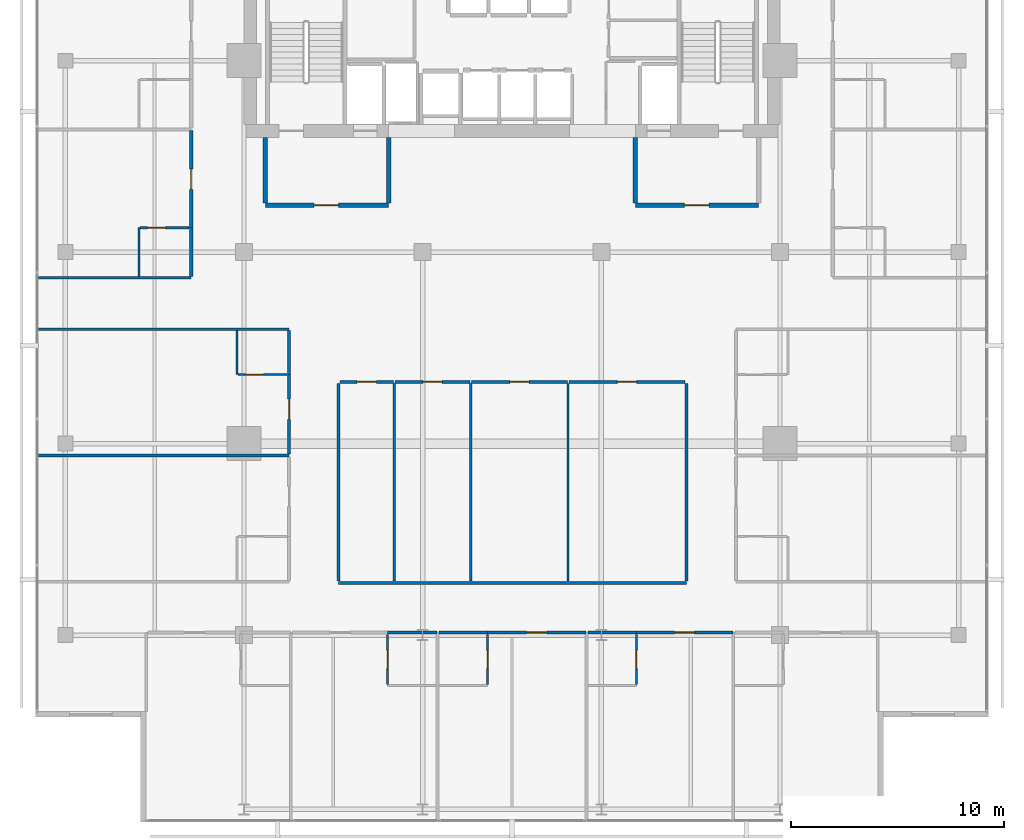
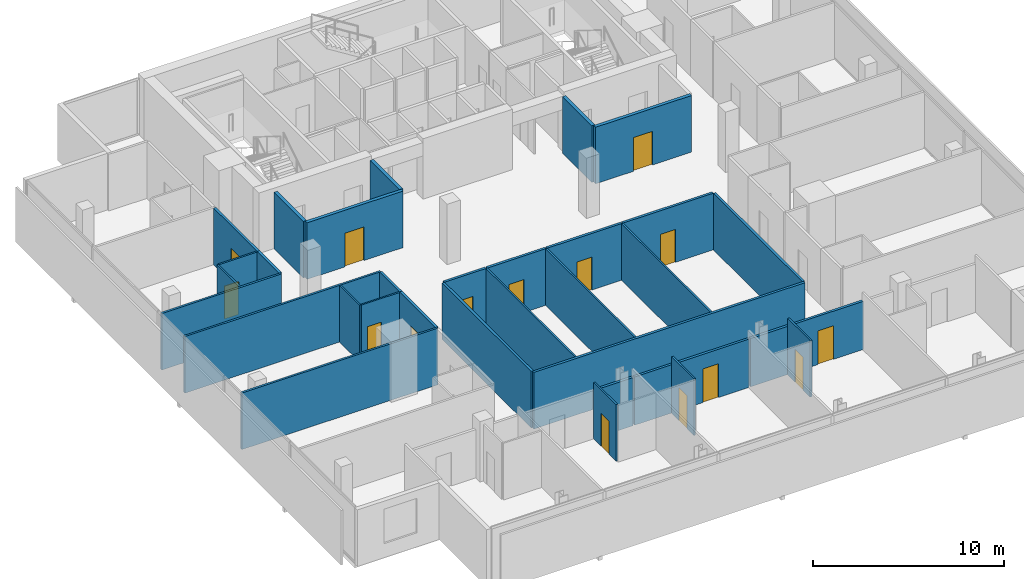
# One storey, part 20 of 25: 34 walls, 15 doors, 15 openings.
"""IFC4 building model written with IfcOpenShell, lengths in metres."""

from ifc_helpers import new_model, si_unit, direction, frame, frame_2d, origin, place, context, subcontext, project, spatial, rectangle, extrude, material, layer, layer_set, type_object, element, fill, save


model = new_model("IFC4")

# Units and contexts
model_context = context("Model", 3, precision=1e-05, world=origin(), true_north=direction((0.0, 1.0)))
body_context = subcontext(model_context, "Body", "Model", "MODEL_VIEW")
ifc_project = project(units=[si_unit("LENGTHUNIT", "METRE"), si_unit("AREAUNIT", "SQUARE_METRE"), si_unit("VOLUMEUNIT", "CUBIC_METRE"), si_unit("PLANEANGLEUNIT", "RADIAN"), si_unit("MASSUNIT", "GRAM", prefix="KILO")], contexts=[model_context])

# Site, building, storey
site_placement = place(None, origin())
site = spatial("IfcSite", under=ifc_project, at=site_placement, CompositionType="ELEMENT")
building_placement = place(site_placement, origin())
building = spatial("IfcBuilding", under=site, at=building_placement, Name="Maruvema Waterfront Hotel and Observation Tower", CompositionType="ELEMENT")
storey_placement = place(building_placement, frame((0.0, 0.0, 262.5)))
storey = spatial("IfcBuildingStorey", under=building, at=storey_placement, Name="L64", CompositionType="ELEMENT", Elevation=262.5)

# Walls
ifc_material_1 = material(Name="Twin-stud acoustic gypsum drywall", Category="gypsum")
ifc_layer_1 = layer(ifc_material_1, 0.14990234375, Name="Acoustic Corridor and Suite Demising Wall 150 mm")
ifc_layer_set_1 = layer_set([ifc_layer_1], Name="Twin-stud acoustic gypsum drywall")
wall_type_1 = type_object("IfcWallType", Name="Acoustic Corridor and Suite Demising Wall 150 mm", PredefinedType="PARTITIONING", material=ifc_layer_set_1)
wall_1_placement = place(storey_placement, frame((29.64990234375, 20.449951171875, 0.0), z_axis=(0.0, 0.0, 1.0), x_axis=(1.0, 0.0, 0.0)))
element("IfcWall", 1, at=wall_1_placement, inside=storey, type_object=wall_type_1, Name="L64 L64-Z3M Back Wall 021", PredefinedType="PARTITIONING", context=body_context, shape_type="SweptSolid", body=[
    extrude(rectangle(XDim=16.35009765625, YDim=0.14990234375, at=frame_2d((8.175048828125, 0.0))), origin(), (0.0, 0.0, 1.0), 3.610107421875),
])
for number, where, z_axis, x_axis, name in (
    (2, (29.64990234375, 20.530029296875, 0.0), (0.0, 0.0, 1.0), (0.0, 1.0, 0.0), "L64 L64-Z3M West Wall 022"),
    (3, (46.0, 20.530029296875, 0.0), (0.0, 0.0, 1.0), (0.0, 1.0, 0.0), "L64 L64-Z3M East Wall 023"),
):
    element("IfcWall", number, at=place(storey_placement, frame(where, z_axis=z_axis, x_axis=x_axis)), inside=storey, type_object=wall_type_1, Name=name, PredefinedType="PARTITIONING", context=body_context, shape_type="SweptSolid", body=[
        extrude(rectangle(XDim=9.2900390625, YDim=0.14990234375, at=frame_2d((4.64501953125, 0.0))), origin(), (0.0, 0.0, 1.0), 3.610107421875),
    ])

# Wall, opening, door
wall_2_placement = place(storey_placement, frame((29.7099609375, 29.89990234375, 0.0), z_axis=(0.0, 0.0, 1.0), x_axis=(1.0, 0.0, 0.0)))
wall_2 = element("IfcWall", 4, at=wall_2_placement, inside=storey, type_object=wall_type_1, Name="L64 L64-Z3M Front 1 024", PredefinedType="PARTITIONING", context=body_context, shape_type="SweptSolid", body=[
    extrude(rectangle(XDim=2.526123046875, YDim=0.14990234375, at=frame_2d((1.26318359375, 0.0))), origin(), (0.0, 0.0, 1.0), 3.610107421875),
])
opening_1_placement = place(wall_2_placement, frame((0.81298828125, 0.0, 0.0)))
opening_1 = element("IfcOpeningElement", 5, at=opening_1_placement, cuts=wall_2, Name="Opening DR-090", PredefinedType="OPENING", context=body_context, shape_type="SweptSolid", body=[
    extrude(rectangle(XDim=0.89990234375, YDim=2.10009765625, at=frame_2d((0.449951171875, 1.050048828125))), frame((0.0, 0.0849609375, 0.0), z_axis=(0.0, -1.0, 0.0), x_axis=(1.0, 0.0, 0.0)), (0.0, 0.0, 1.0), 0.169921875),
])
ifc_material_2 = material(Name="Solid-core lacquered timber leaf", Category="wood")
door_type_1 = type_object("IfcDoorType", Name="Accessible Toilet and Room Door 900x2100 mm", OperationType="NOTDEFINED", PredefinedType="DOOR", material=ifc_material_2)
door_1_placement = place(opening_1_placement, origin())
door_1 = element("IfcDoor", 6, at=door_1_placement, inside=storey, type_object=door_type_1, Name="L64 Meeting Salon 1 Door", OperationType="SINGLE_SWING_LEFT", OverallHeight=2.10009765625, OverallWidth=0.89990234375, PredefinedType="DOOR", context=body_context, shape_type="SweptSolid", body=[
    extrude(rectangle(XDim=0.89990234375, YDim=2.10009765625, at=frame_2d((0.449951171875, 1.050048828125))), frame((0.0, 0.02490234375, 0.0), z_axis=(0.0, -1.0, 0.0), x_axis=(1.0, 0.0, 0.0)), (0.0, 0.0, 1.0), 0.050048828125),
])
fill(opening_1, door_1)

wall_3_placement = place(storey_placement, frame((32.2958984375, 29.89990234375, 0.0), z_axis=(0.0, 0.0, 1.0), x_axis=(1.0, 0.0, 0.0)))
wall_3 = element("IfcWall", 7, at=wall_3_placement, inside=storey, type_object=wall_type_1, Name="L64 L64-Z3M Front 2 026", PredefinedType="PARTITIONING", context=body_context, shape_type="SweptSolid", body=[
    extrude(rectangle(XDim=3.537109375, YDim=0.14990234375, at=frame_2d((1.7685546875, 0.0))), origin(), (0.0, 0.0, 1.0), 3.610107421875),
])
opening_2_placement = place(wall_3_placement, frame((1.318603515625, 0.0, 0.0)))
opening_2 = element("IfcOpeningElement", 8, at=opening_2_placement, cuts=wall_3, Name="Opening DR-090", PredefinedType="OPENING", context=body_context, shape_type="SweptSolid", body=[
    extrude(rectangle(XDim=0.89990234375, YDim=2.10009765625, at=frame_2d((0.449951171875, 1.050048828125))), frame((0.0, 0.0849609375, 0.0), z_axis=(0.0, -1.0, 0.0), x_axis=(1.0, 0.0, 0.0)), (0.0, 0.0, 1.0), 0.169921875),
])
door_2_placement = place(opening_2_placement, origin())
door_2 = element("IfcDoor", 9, at=door_2_placement, inside=storey, type_object=door_type_1, Name="L64 Meeting Salon 2 Door", OperationType="SINGLE_SWING_RIGHT", OverallHeight=2.10009765625, OverallWidth=0.89990234375, PredefinedType="DOOR", context=body_context, shape_type="SweptSolid", body=[
    extrude(rectangle(XDim=0.89990234375, YDim=2.10009765625, at=frame_2d((0.449951171875, 1.050048828125))), frame((0.0, 0.02490234375, 0.0), z_axis=(0.0, -1.0, 0.0), x_axis=(1.0, 0.0, 0.0)), (0.0, 0.0, 1.0), 0.050048828125),
])
fill(opening_2, door_2)

wall_4_placement = place(storey_placement, frame((35.89306640625, 29.89990234375, 0.0), z_axis=(0.0, 0.0, 1.0), x_axis=(1.0, 0.0, 0.0)))
wall_4 = element("IfcWall", 10, at=wall_4_placement, inside=storey, type_object=wall_type_1, Name="L64 L64-Z3M Front 3 028", PredefinedType="PARTITIONING", context=body_context, shape_type="SweptSolid", body=[
    extrude(rectangle(XDim=4.517822265625, YDim=0.14990234375, at=frame_2d((2.2587890625, 0.0))), origin(), (0.0, 0.0, 1.0), 3.610107421875),
])
opening_3_placement = place(wall_4_placement, frame((1.80908203125, 0.0, 0.0)))
opening_3 = element("IfcOpeningElement", 11, at=opening_3_placement, cuts=wall_4, Name="Opening DR-090", PredefinedType="OPENING", context=body_context, shape_type="SweptSolid", body=[
    extrude(rectangle(XDim=0.89990234375, YDim=2.10009765625, at=frame_2d((0.449951171875, 1.050048828125))), frame((0.0, 0.0849609375, 0.0), z_axis=(0.0, -1.0, 0.0), x_axis=(1.0, 0.0, 0.0)), (0.0, 0.0, 1.0), 0.169921875),
])
door_3_placement = place(opening_3_placement, origin())
door_3 = element("IfcDoor", 12, at=door_3_placement, inside=storey, type_object=door_type_1, Name="L64 Meeting Salon 3 Door", OperationType="SINGLE_SWING_LEFT", OverallHeight=2.10009765625, OverallWidth=0.89990234375, PredefinedType="DOOR", context=body_context, shape_type="SweptSolid", body=[
    extrude(rectangle(XDim=0.89990234375, YDim=2.10009765625, at=frame_2d((0.449951171875, 1.050048828125))), frame((0.0, 0.02490234375, 0.0), z_axis=(0.0, -1.0, 0.0), x_axis=(1.0, 0.0, 0.0)), (0.0, 0.0, 1.0), 0.050048828125),
])
fill(opening_3, door_3)

wall_5_placement = place(storey_placement, frame((40.470947265625, 29.89990234375, 0.0), z_axis=(0.0, 0.0, 1.0), x_axis=(1.0, 0.0, 0.0)))
wall_5 = element("IfcWall", 13, at=wall_5_placement, inside=storey, type_object=wall_type_1, Name="L64 L64-Z3M Front 4 030", PredefinedType="PARTITIONING", context=body_context, shape_type="SweptSolid", body=[
    extrude(rectangle(XDim=5.468994140625, YDim=0.14990234375, at=frame_2d((2.734375, 0.0))), origin(), (0.0, 0.0, 1.0), 3.610107421875),
])
opening_4_placement = place(wall_5_placement, frame((2.284423828125, 0.0, 0.0)))
opening_4 = element("IfcOpeningElement", 14, at=opening_4_placement, cuts=wall_5, Name="Opening DR-090", PredefinedType="OPENING", context=body_context, shape_type="SweptSolid", body=[
    extrude(rectangle(XDim=0.89990234375, YDim=2.10009765625, at=frame_2d((0.449951171875, 1.050048828125))), frame((0.0, 0.0849609375, 0.0), z_axis=(0.0, -1.0, 0.0), x_axis=(1.0, 0.0, 0.0)), (0.0, 0.0, 1.0), 0.169921875),
])
door_4_placement = place(opening_4_placement, origin())
door_4 = element("IfcDoor", 15, at=door_4_placement, inside=storey, type_object=door_type_1, Name="L64 Tea Kitchenette Door", OperationType="SINGLE_SWING_RIGHT", OverallHeight=2.10009765625, OverallWidth=0.89990234375, PredefinedType="DOOR", context=body_context, shape_type="SweptSolid", body=[
    extrude(rectangle(XDim=0.89990234375, YDim=2.10009765625, at=frame_2d((0.449951171875, 1.050048828125))), frame((0.0, 0.02490234375, 0.0), z_axis=(0.0, -1.0, 0.0), x_axis=(1.0, 0.0, 0.0)), (0.0, 0.0, 1.0), 0.050048828125),
])
fill(opening_4, door_4)

# Walls
wall_6_placement = place(storey_placement, frame((31.949951171875, 18.1201171875, 0.0), z_axis=(0.0, 0.0, 1.0), x_axis=(1.0, 0.0, 0.0)))
element("IfcWall", 16, at=wall_6_placement, inside=storey, type_object=wall_type_1, Name="L64 Bath L64-S2 Back Wall 038", PredefinedType="PARTITIONING", context=body_context, shape_type="SweptSolid", body=[
    extrude(rectangle(XDim=2.330078125, YDim=0.14990234375, at=frame_2d((1.1650390625, 0.0))), origin(), (0.0, 0.0, 1.0), 3.076904296875),
])
wall_7_placement = place(storey_placement, frame((34.3798828125, 18.1201171875, 0.0), z_axis=(0.0, 0.0, 1.0), x_axis=(1.0, 0.0, 0.0)))
element("IfcWall", 17, at=wall_7_placement, inside=storey, type_object=wall_type_1, Name="L64 Bath L64-S3 Back Wall 043", PredefinedType="PARTITIONING", context=body_context, shape_type="SweptSolid", body=[
    extrude(rectangle(XDim=2.27001953125, YDim=0.14990234375, at=frame_2d((1.135009765625, 0.0))), origin(), (0.0, 0.0, 1.0), 3.076904296875),
])

# Wall, opening, door
wall_8_placement = place(storey_placement, frame((36.64990234375, 18.1201171875, 0.0), z_axis=(0.0, 0.0, 1.0), x_axis=(1.0, 0.0, 0.0)))
wall_8 = element("IfcWall", 18, at=wall_8_placement, inside=storey, type_object=wall_type_1, Name="L64 Unit L64-S3 Corridor Wall 046", PredefinedType="PARTITIONING", context=body_context, shape_type="SweptSolid", body=[
    extrude(rectangle(XDim=4.630126953125, YDim=0.14990234375, at=frame_2d((2.31494140625, 0.0))), origin(), (0.0, 0.0, 1.0), 3.076904296875),
])
opening_5_placement = place(wall_8_placement, frame((1.840087890625, 0.0, 0.0)))
opening_5 = element("IfcOpeningElement", 19, at=opening_5_placement, cuts=wall_8, Name="Opening DR-095", PredefinedType="OPENING", context=body_context, shape_type="SweptSolid", body=[
    extrude(rectangle(XDim=0.949951171875, YDim=2.14990234375, at=frame_2d((0.47509765625, 1.074951171875))), frame((0.0, 0.0849609375, 0.0), z_axis=(0.0, -1.0, 0.0), x_axis=(1.0, 0.0, 0.0)), (0.0, 0.0, 1.0), 0.169921875),
])
ifc_material_3 = material(Name="Acoustic solid-core hardwood timber leaf", Category="wood")
door_type_2 = type_object("IfcDoorType", Name="Guestroom Entrance Fire Door 950x2150 mm", OperationType="NOTDEFINED", PredefinedType="DOOR", material=ifc_material_3)
door_5_placement = place(opening_5_placement, frame((0.949951171875, 0.0, 0.0), z_axis=(0.0, 0.0, 1.0), x_axis=(-1.0, 0.0, 0.0)))
door_5 = element("IfcDoor", 20, at=door_5_placement, inside=storey, type_object=door_type_2, Name="L64 Unit L64-S3 Entrance Door", OperationType="SINGLE_SWING_RIGHT", OverallHeight=2.14990234375, OverallWidth=0.949951171875, PredefinedType="DOOR", context=body_context, shape_type="SweptSolid", body=[
    extrude(rectangle(XDim=0.949951171875, YDim=2.14990234375, at=frame_2d((0.47509765625, 1.074951171875))), frame((0.0, 0.02490234375, 0.0), z_axis=(0.0, -1.0, 0.0), x_axis=(1.0, 0.0, 0.0)), (0.0, 0.0, 1.0), 0.050048828125),
])
fill(opening_5, door_5)

# Wall
wall_9_placement = place(storey_placement, frame((41.3798828125, 18.1201171875, 0.0), z_axis=(0.0, 0.0, 1.0), x_axis=(1.0, 0.0, 0.0)))
element("IfcWall", 21, at=wall_9_placement, inside=storey, type_object=wall_type_1, Name="L64 Bath L64-S4 Back Wall 048", PredefinedType="PARTITIONING", context=body_context, shape_type="SweptSolid", body=[
    extrude(rectangle(XDim=2.27001953125, YDim=0.14990234375, at=frame_2d((1.135009765625, 0.0))), origin(), (0.0, 0.0, 1.0), 3.076904296875),
])

# Wall, opening, door
wall_10_placement = place(storey_placement, frame((43.64990234375, 18.1201171875, 0.0), z_axis=(0.0, 0.0, 1.0), x_axis=(1.0, 0.0, 0.0)))
wall_10 = element("IfcWall", 22, at=wall_10_placement, inside=storey, type_object=wall_type_1, Name="L64 Unit L64-S4 Corridor Wall 051", PredefinedType="PARTITIONING", context=body_context, shape_type="SweptSolid", body=[
    extrude(rectangle(XDim=4.530029296875, YDim=0.14990234375, at=frame_2d((2.26513671875, 0.0))), origin(), (0.0, 0.0, 1.0), 3.076904296875),
])
opening_6_placement = place(wall_10_placement, frame((1.7900390625, 0.0, 0.0)))
opening_6 = element("IfcOpeningElement", 23, at=opening_6_placement, cuts=wall_10, Name="Opening DR-095", PredefinedType="OPENING", context=body_context, shape_type="SweptSolid", body=[
    extrude(rectangle(XDim=0.949951171875, YDim=2.14990234375, at=frame_2d((0.47509765625, 1.074951171875))), frame((0.0, 0.0849609375, 0.0), z_axis=(0.0, -1.0, 0.0), x_axis=(1.0, 0.0, 0.0)), (0.0, 0.0, 1.0), 0.169921875),
])
door_6_placement = place(opening_6_placement, frame((0.949951171875, 0.0, 0.0), z_axis=(0.0, 0.0, 1.0), x_axis=(-1.0, 0.0, 0.0)))
door_6 = element("IfcDoor", 24, at=door_6_placement, inside=storey, type_object=door_type_2, Name="L64 Unit L64-S4 Entrance Door", OperationType="SINGLE_SWING_RIGHT", OverallHeight=2.14990234375, OverallWidth=0.949951171875, PredefinedType="DOOR", context=body_context, shape_type="SweptSolid", body=[
    extrude(rectangle(XDim=0.949951171875, YDim=2.14990234375, at=frame_2d((0.47509765625, 1.074951171875))), frame((0.0, 0.02490234375, 0.0), z_axis=(0.0, -1.0, 0.0), x_axis=(1.0, 0.0, 0.0)), (0.0, 0.0, 1.0), 0.050048828125),
])
fill(opening_6, door_6)

wall_11_placement = place(storey_placement, frame((27.320068359375, 26.5, 0.0), z_axis=(0.0, 0.0, 1.0), x_axis=(0.0, 1.0, 0.0)))
wall_11 = element("IfcWall", 25, at=wall_11_placement, inside=storey, type_object=wall_type_1, Name="L64 Room L64-W2 Corridor Wall 071", PredefinedType="PARTITIONING", context=body_context, shape_type="SweptSolid", body=[
    extrude(rectangle(XDim=3.739990234375, YDim=0.14990234375, at=frame_2d((1.8701171875, 0.0))), origin(), (0.0, 0.0, 1.0), 3.610107421875),
])
opening_7_placement = place(wall_11_placement, frame((1.635009765625, 0.0, 0.0)))
opening_7 = element("IfcOpeningElement", 26, at=opening_7_placement, cuts=wall_11, Name="Opening DR-095", PredefinedType="OPENING", context=body_context, shape_type="SweptSolid", body=[
    extrude(rectangle(XDim=0.949951171875, YDim=2.14990234375, at=frame_2d((0.47509765625, 1.074951171875))), frame((0.0, 0.0849609375, 0.0), z_axis=(0.0, -1.0, 0.0), x_axis=(1.0, 0.0, 0.0)), (0.0, 0.0, 1.0), 0.169921875),
])
door_7_placement = place(opening_7_placement, origin())
door_7 = element("IfcDoor", 27, at=door_7_placement, inside=storey, type_object=door_type_2, Name="L64 Room L64-W2 Entrance Door", OperationType="SINGLE_SWING_RIGHT", OverallHeight=2.14990234375, OverallWidth=0.949951171875, PredefinedType="DOOR", context=body_context, shape_type="SweptSolid", body=[
    extrude(rectangle(XDim=0.949951171875, YDim=2.14990234375, at=frame_2d((0.47509765625, 1.074951171875))), frame((0.0, 0.02490234375, 0.0), z_axis=(0.0, -1.0, 0.0), x_axis=(1.0, 0.0, 0.0)), (0.0, 0.0, 1.0), 0.050048828125),
])
fill(opening_7, door_7)

# Walls
wall_12_placement = place(storey_placement, frame((27.320068359375, 30.239990234375, 0.0), z_axis=(0.0, 0.0, 1.0), x_axis=(0.0, 1.0, 0.0)))
element("IfcWall", 28, at=wall_12_placement, inside=storey, type_object=wall_type_1, Name="L64 Bath L64-W2 Wall 072", PredefinedType="PARTITIONING", context=body_context, shape_type="SweptSolid", body=[
    extrude(rectangle(XDim=2.080078125, YDim=0.14990234375, at=frame_2d((1.0400390625, 0.0))), origin(), (0.0, 0.0, 1.0), 3.610107421875),
])
wall_13_placement = place(storey_placement, frame((22.719970703125, 34.860107421875, 0.0), z_axis=(0.0, 0.0, 1.0), x_axis=(0.0, 1.0, 0.0)))
element("IfcWall", 29, at=wall_13_placement, inside=storey, type_object=wall_type_1, Name="L64 Bath L64-NW1 Wall 083", PredefinedType="PARTITIONING", context=body_context, shape_type="SweptSolid", body=[
    extrude(rectangle(XDim=2.289794921875, YDim=0.14990234375, at=frame_2d((1.14501953125, 0.0))), origin(), (0.0, 0.0, 1.0), 3.610107421875),
])

# Wall, opening, door
wall_14_placement = place(storey_placement, frame((22.719970703125, 37.14990234375, 0.0), z_axis=(0.0, 0.0, 1.0), x_axis=(0.0, 1.0, 0.0)))
wall_14 = element("IfcWall", 30, at=wall_14_placement, inside=storey, type_object=wall_type_1, Name="L64 Room L64-NW1 Corridor Wall 084", PredefinedType="PARTITIONING", context=body_context, shape_type="SweptSolid", body=[
    extrude(rectangle(XDim=4.558837890625, YDim=0.14990234375, at=frame_2d((2.279296875, 0.0))), origin(), (0.0, 0.0, 1.0), 3.610107421875),
])
opening_8_placement = place(wall_14_placement, frame((1.804443359375, 0.0, 0.0)))
opening_8 = element("IfcOpeningElement", 31, at=opening_8_placement, cuts=wall_14, Name="Opening DR-095", PredefinedType="OPENING", context=body_context, shape_type="SweptSolid", body=[
    extrude(rectangle(XDim=0.949951171875, YDim=2.14990234375, at=frame_2d((0.47509765625, 1.074951171875))), frame((0.0, 0.0849609375, 0.0), z_axis=(0.0, -1.0, 0.0), x_axis=(1.0, 0.0, 0.0)), (0.0, 0.0, 1.0), 0.169921875),
])
door_8_placement = place(opening_8_placement, origin())
door_8 = element("IfcDoor", 32, at=door_8_placement, inside=storey, type_object=door_type_2, Name="L64 Room L64-NW1 Entrance Door", OperationType="SINGLE_SWING_RIGHT", OverallHeight=2.14990234375, OverallWidth=0.949951171875, PredefinedType="DOOR", context=body_context, shape_type="SweptSolid", body=[
    extrude(rectangle(XDim=0.949951171875, YDim=2.14990234375, at=frame_2d((0.47509765625, 1.074951171875))), frame((0.0, 0.02490234375, 0.0), z_axis=(0.0, -1.0, 0.0), x_axis=(1.0, 0.0, 0.0)), (0.0, 0.0, 1.0), 0.050048828125),
])
fill(opening_8, door_8)

# Walls
ifc_material_4 = material(Name="Moisture-resistant cement-board drywall", Category="gypsum")
ifc_layer_2 = layer(ifc_material_4, 0.10009765625, Name="En-Suite Moisture-Resistant Partition 100 mm")
ifc_layer_set_2 = layer_set([ifc_layer_2], Name="Moisture-resistant cement-board drywall")
wall_type_2 = type_object("IfcWallType", Name="En-Suite Moisture-Resistant Partition 100 mm", PredefinedType="PARTITIONING", material=ifc_layer_set_2)
for number, where, z_axis, x_axis, name in (
    (33, (32.26611328125, 20.530029296875, 0.0), (0.0, 0.0, 1.0), (0.0, 1.0, 0.0), "L64 L64-Z3M Split 1 025"),
    (34, (35.863037109375, 20.530029296875, 0.0), (0.0, 0.0, 1.0), (0.0, 1.0, 0.0), "L64 L64-Z3M Split 2 027"),
    (35, (40.44091796875, 20.530029296875, 0.0), (0.0, 0.0, 1.0), (0.0, 1.0, 0.0), "L64 L64-Z3M Split 3 029"),
):
    element("IfcWall", number, at=place(storey_placement, frame(where, z_axis=z_axis, x_axis=x_axis)), inside=storey, type_object=wall_type_2, Name=name, PredefinedType="PARTITIONING", context=body_context, shape_type="SweptSolid", body=[
        extrude(rectangle(XDim=9.2900390625, YDim=0.10009765625, at=frame_2d((4.64501953125, 0.0))), origin(), (0.0, 0.0, 1.0), 3.610107421875),
    ])

# Wall, opening, door
wall_15_placement = place(storey_placement, frame((31.949951171875, 15.679931640625, 0.0), z_axis=(0.0, 0.0, 1.0), x_axis=(0.0, 1.0, 0.0)))
wall_15 = element("IfcWall", 36, at=wall_15_placement, inside=storey, type_object=wall_type_2, Name="L64 En-Suite L64-S2 West 040", PredefinedType="PARTITIONING", context=body_context, shape_type="SweptSolid", body=[
    extrude(rectangle(XDim=2.340087890625, YDim=0.10009765625, at=frame_2d((1.169921875, 0.0))), origin(), (0.0, 0.0, 1.0), 3.610107421875),
])
opening_9_placement = place(wall_15_placement, frame((0.7451171875, 0.0, 0.0)))
opening_9 = element("IfcOpeningElement", 37, at=opening_9_placement, cuts=wall_15, Name="Opening DR-085", PredefinedType="OPENING", context=body_context, shape_type="SweptSolid", body=[
    extrude(rectangle(XDim=0.85009765625, YDim=2.10009765625, at=frame_2d((0.425048828125, 1.050048828125))), frame((0.0, 0.06005859375, 0.0), z_axis=(0.0, -1.0, 0.0), x_axis=(1.0, 0.0, 0.0)), (0.0, 0.0, 1.0), 0.1201171875),
])
ifc_material_5 = material(Name="Moisture-resistant solid timber leaf", Category="wood")
door_type_3 = type_object("IfcDoorType", Name="En-Suite Bathroom Door 850x2100 mm", OperationType="NOTDEFINED", PredefinedType="DOOR", material=ifc_material_5)
door_9_placement = place(opening_9_placement, origin())
door_9 = element("IfcDoor", 38, at=door_9_placement, inside=storey, type_object=door_type_3, Name="L64 En-Suite L64-S2 Door", OperationType="SINGLE_SWING_LEFT", OverallHeight=2.10009765625, OverallWidth=0.85009765625, PredefinedType="DOOR", context=body_context, shape_type="SweptSolid", body=[
    extrude(rectangle(XDim=0.85009765625, YDim=2.10009765625, at=frame_2d((0.425048828125, 1.050048828125))), frame((0.0, 0.02490234375, 0.0), z_axis=(0.0, -1.0, 0.0), x_axis=(1.0, 0.0, 0.0)), (0.0, 0.0, 1.0), 0.050048828125),
])
fill(opening_9, door_9)

wall_16_placement = place(storey_placement, frame((36.64990234375, 15.679931640625, 0.0), z_axis=(0.0, 0.0, 1.0), x_axis=(0.0, 1.0, 0.0)))
wall_16 = element("IfcWall", 39, at=wall_16_placement, inside=storey, type_object=wall_type_2, Name="L64 En-Suite L64-S3 East 045", PredefinedType="PARTITIONING", context=body_context, shape_type="SweptSolid", body=[
    extrude(rectangle(XDim=2.340087890625, YDim=0.10009765625, at=frame_2d((1.169921875, 0.0))), origin(), (0.0, 0.0, 1.0), 3.610107421875),
])
opening_10_placement = place(wall_16_placement, frame((0.7451171875, 0.0, 0.0)))
opening_10 = element("IfcOpeningElement", 40, at=opening_10_placement, cuts=wall_16, Name="Opening DR-085", PredefinedType="OPENING", context=body_context, shape_type="SweptSolid", body=[
    extrude(rectangle(XDim=0.85009765625, YDim=2.10009765625, at=frame_2d((0.425048828125, 1.050048828125))), frame((0.0, 0.06005859375, 0.0), z_axis=(0.0, -1.0, 0.0), x_axis=(1.0, 0.0, 0.0)), (0.0, 0.0, 1.0), 0.1201171875),
])
door_10_placement = place(opening_10_placement, frame((0.85009765625, 0.0, 0.0), z_axis=(0.0, 0.0, 1.0), x_axis=(-1.0, 0.0, 0.0)))
door_10 = element("IfcDoor", 41, at=door_10_placement, inside=storey, type_object=door_type_3, Name="L64 En-Suite L64-S3 Door", OperationType="SINGLE_SWING_LEFT", OverallHeight=2.10009765625, OverallWidth=0.85009765625, PredefinedType="DOOR", context=body_context, shape_type="SweptSolid", body=[
    extrude(rectangle(XDim=0.85009765625, YDim=2.10009765625, at=frame_2d((0.425048828125, 1.050048828125))), frame((0.0, 0.02490234375, 0.0), z_axis=(0.0, -1.0, 0.0), x_axis=(1.0, 0.0, 0.0)), (0.0, 0.0, 1.0), 0.050048828125),
])
fill(opening_10, door_10)

wall_17_placement = place(storey_placement, frame((43.64990234375, 15.679931640625, 0.0), z_axis=(0.0, 0.0, 1.0), x_axis=(0.0, 1.0, 0.0)))
wall_17 = element("IfcWall", 42, at=wall_17_placement, inside=storey, type_object=wall_type_2, Name="L64 En-Suite L64-S4 East 050", PredefinedType="PARTITIONING", context=body_context, shape_type="SweptSolid", body=[
    extrude(rectangle(XDim=2.340087890625, YDim=0.10009765625, at=frame_2d((1.169921875, 0.0))), origin(), (0.0, 0.0, 1.0), 3.610107421875),
])
opening_11_placement = place(wall_17_placement, frame((0.7451171875, 0.0, 0.0)))
opening_11 = element("IfcOpeningElement", 43, at=opening_11_placement, cuts=wall_17, Name="Opening DR-085", PredefinedType="OPENING", context=body_context, shape_type="SweptSolid", body=[
    extrude(rectangle(XDim=0.85009765625, YDim=2.10009765625, at=frame_2d((0.425048828125, 1.050048828125))), frame((0.0, 0.06005859375, 0.0), z_axis=(0.0, -1.0, 0.0), x_axis=(1.0, 0.0, 0.0)), (0.0, 0.0, 1.0), 0.1201171875),
])
door_11_placement = place(opening_11_placement, frame((0.85009765625, 0.0, 0.0), z_axis=(0.0, 0.0, 1.0), x_axis=(-1.0, 0.0, 0.0)))
door_11 = element("IfcDoor", 44, at=door_11_placement, inside=storey, type_object=door_type_3, Name="L64 En-Suite L64-S4 Door", OperationType="SINGLE_SWING_LEFT", OverallHeight=2.10009765625, OverallWidth=0.85009765625, PredefinedType="DOOR", context=body_context, shape_type="SweptSolid", body=[
    extrude(rectangle(XDim=0.85009765625, YDim=2.10009765625, at=frame_2d((0.425048828125, 1.050048828125))), frame((0.0, 0.02490234375, 0.0), z_axis=(0.0, -1.0, 0.0), x_axis=(1.0, 0.0, 0.0)), (0.0, 0.0, 1.0), 0.050048828125),
])
fill(opening_11, door_11)

# Wall
wall_18_placement = place(storey_placement, frame((24.8701171875, 30.239990234375, 0.0), z_axis=(0.0, 0.0, 1.0), x_axis=(0.0, 1.0, 0.0)))
element("IfcWall", 45, at=wall_18_placement, inside=storey, type_object=wall_type_2, Name="L64 En-Suite L64-W2 W 073", PredefinedType="PARTITIONING", context=body_context, shape_type="SweptSolid", body=[
    extrude(rectangle(XDim=2.080078125, YDim=0.10009765625, at=frame_2d((1.0400390625, 0.0))), origin(), (0.0, 0.0, 1.0), 3.610107421875),
])

# Wall, opening, door
wall_19_placement = place(storey_placement, frame((24.919921875, 30.239990234375, 0.0), z_axis=(0.0, 0.0, 1.0), x_axis=(1.0, 0.0, 0.0)))
wall_19 = element("IfcWall", 46, at=wall_19_placement, inside=storey, type_object=wall_type_2, Name="L64 En-Suite L64-W2 S 074", PredefinedType="PARTITIONING", context=body_context, shape_type="SweptSolid", body=[
    extrude(rectangle(XDim=2.300048828125, YDim=0.10009765625, at=frame_2d((1.14990234375, 0.0))), origin(), (0.0, 0.0, 1.0), 3.610107421875),
])
opening_12_placement = place(wall_19_placement, frame((0.35009765625, 0.0, 0.0)))
opening_12 = element("IfcOpeningElement", 47, at=opening_12_placement, cuts=wall_19, Name="Opening DR-085", PredefinedType="OPENING", context=body_context, shape_type="SweptSolid", body=[
    extrude(rectangle(XDim=0.85009765625, YDim=2.10009765625, at=frame_2d((0.425048828125, 1.050048828125))), frame((0.0, 0.06005859375, 0.0), z_axis=(0.0, -1.0, 0.0), x_axis=(1.0, 0.0, 0.0)), (0.0, 0.0, 1.0), 0.1201171875),
])
door_12_placement = place(opening_12_placement, frame((0.85009765625, 0.0, 0.0), z_axis=(0.0, 0.0, 1.0), x_axis=(-1.0, 0.0, 0.0)))
door_12 = element("IfcDoor", 48, at=door_12_placement, inside=storey, type_object=door_type_3, Name="L64 En-Suite L64-W2 Door", OperationType="SINGLE_SWING_LEFT", OverallHeight=2.10009765625, OverallWidth=0.85009765625, PredefinedType="DOOR", context=body_context, shape_type="SweptSolid", body=[
    extrude(rectangle(XDim=0.85009765625, YDim=2.10009765625, at=frame_2d((0.425048828125, 1.050048828125))), frame((0.0, 0.02490234375, 0.0), z_axis=(0.0, -1.0, 0.0), x_axis=(1.0, 0.0, 0.0)), (0.0, 0.0, 1.0), 0.050048828125),
])
fill(opening_12, door_12)

# Wall
wall_20_placement = place(storey_placement, frame((20.27001953125, 34.860107421875, 0.0), z_axis=(0.0, 0.0, 1.0), x_axis=(0.0, 1.0, 0.0)))
element("IfcWall", 49, at=wall_20_placement, inside=storey, type_object=wall_type_2, Name="L64 En-Suite L64-NW1 W 085", PredefinedType="PARTITIONING", context=body_context, shape_type="SweptSolid", body=[
    extrude(rectangle(XDim=2.289794921875, YDim=0.10009765625, at=frame_2d((1.14501953125, 0.0))), origin(), (0.0, 0.0, 1.0), 3.610107421875),
])

# Wall, opening, door
wall_21_placement = place(storey_placement, frame((20.320068359375, 37.14990234375, 0.0), z_axis=(0.0, 0.0, 1.0), x_axis=(1.0, 0.0, 0.0)))
wall_21 = element("IfcWall", 50, at=wall_21_placement, inside=storey, type_object=wall_type_2, Name="L64 En-Suite L64-NW1 N 086", PredefinedType="PARTITIONING", context=body_context, shape_type="SweptSolid", body=[
    extrude(rectangle(XDim=2.300048828125, YDim=0.10009765625, at=frame_2d((1.14990234375, 0.0))), origin(), (0.0, 0.0, 1.0), 3.610107421875),
])
opening_13_placement = place(wall_21_placement, frame((0.35009765625, 0.0, 0.0)))
opening_13 = element("IfcOpeningElement", 51, at=opening_13_placement, cuts=wall_21, Name="Opening DR-085", PredefinedType="OPENING", context=body_context, shape_type="SweptSolid", body=[
    extrude(rectangle(XDim=0.85009765625, YDim=2.10009765625, at=frame_2d((0.425048828125, 1.050048828125))), frame((0.0, 0.06005859375, 0.0), z_axis=(0.0, -1.0, 0.0), x_axis=(1.0, 0.0, 0.0)), (0.0, 0.0, 1.0), 0.1201171875),
])
door_13_placement = place(opening_13_placement, origin())
door_13 = element("IfcDoor", 52, at=door_13_placement, inside=storey, type_object=door_type_3, Name="L64 En-Suite L64-NW1 Door", OperationType="SINGLE_SWING_LEFT", OverallHeight=2.10009765625, OverallWidth=0.85009765625, PredefinedType="DOOR", context=body_context, shape_type="SweptSolid", body=[
    extrude(rectangle(XDim=0.85009765625, YDim=2.10009765625, at=frame_2d((0.425048828125, 1.050048828125))), frame((0.0, 0.02490234375, 0.0), z_axis=(0.0, -1.0, 0.0), x_axis=(1.0, 0.0, 0.0)), (0.0, 0.0, 1.0), 0.050048828125),
])
fill(opening_13, door_13)

ifc_material_6 = material(Name="Autoclaved cellular concrete blockwork", Category="masonry")
ifc_layer_3 = layer(ifc_material_6, 0.199951171875, Name="Fire Compartment Masonry Wall 200 mm")
ifc_layer_set_3 = layer_set([ifc_layer_3], Name="Autoclaved cellular concrete blockwork")
wall_type_3 = type_object("IfcWallType", Name="Fire Compartment Masonry Wall 200 mm", PredefinedType="PARTITIONING", material=ifc_layer_set_3)
wall_22_placement = place(storey_placement, frame((26.199951171875, 38.199951171875, 0.0), z_axis=(0.0, 0.0, 1.0), x_axis=(1.0, 0.0, 0.0)))
wall_22 = element("IfcWall", 53, at=wall_22_placement, inside=storey, type_object=wall_type_3, Name="L64 FFL West South Wall 001", PredefinedType="PARTITIONING", context=body_context, shape_type="SweptSolid", body=[
    extrude(rectangle(XDim=5.800048828125, YDim=0.199951171875, at=frame_2d((2.89990234375, 0.0))), origin(), (0.0, 0.0, 1.0), 3.610107421875),
])
opening_14_placement = place(wall_22_placement, frame((2.300048828125, 0.0, 0.0)))
opening_14 = element("IfcOpeningElement", 54, at=opening_14_placement, cuts=wall_22, Name="Opening FD-115", PredefinedType="OPENING", context=body_context, shape_type="SweptSolid", body=[
    extrude(rectangle(XDim=1.14990234375, YDim=2.14990234375, at=frame_2d((0.574951171875, 1.074951171875))), frame((0.0, 0.10986328125, 0.0), z_axis=(0.0, -1.0, 0.0), x_axis=(1.0, 0.0, 0.0)), (0.0, 0.0, 1.0), 0.219970703125),
])
ifc_material_7 = material(Name="Fire-rated galvanised steel and vision glass", Category="steel")
door_type_4 = type_object("IfcDoorType", Name="Firefighting Lobby Fire Door 1150x2150 mm", OperationType="NOTDEFINED", PredefinedType="DOOR", material=ifc_material_7)
door_14_placement = place(opening_14_placement, frame((1.14990234375, 0.0, 0.0), z_axis=(0.0, 0.0, 1.0), x_axis=(-1.0, 0.0, 0.0)))
door_14 = element("IfcDoor", 55, at=door_14_placement, inside=storey, type_object=door_type_4, Name="L64 Firefighting Lobby West Door", OperationType="SINGLE_SWING_LEFT", OverallHeight=2.14990234375, OverallWidth=1.14990234375, PredefinedType="DOOR", context=body_context, shape_type="SweptSolid", body=[
    extrude(rectangle(XDim=1.14990234375, YDim=2.14990234375, at=frame_2d((0.574951171875, 1.074951171875))), frame((0.0, 0.02490234375, 0.0), z_axis=(0.0, -1.0, 0.0), x_axis=(1.0, 0.0, 0.0)), (0.0, 0.0, 1.0), 0.050048828125),
])
fill(opening_14, door_14)

# Walls
for number, where, z_axis, x_axis, name in (
    (56, (26.199951171875, 38.31005859375, 0.0), (0.0, 0.0, 1.0), (0.0, 1.0, 0.0), "L64 FFL West West Wall 002"),
    (57, (32.0, 38.31005859375, 0.0), (0.0, 0.0, 1.0), (0.0, 1.0, 0.0), "L64 FFL West East Wall 003"),
):
    element("IfcWall", number, at=place(storey_placement, frame(where, z_axis=z_axis, x_axis=x_axis)), inside=storey, type_object=wall_type_3, Name=name, PredefinedType="PARTITIONING", context=body_context, shape_type="SweptSolid", body=[
        extrude(rectangle(XDim=3.06982421875, YDim=0.199951171875, at=frame_2d((1.534912109375, 0.0))), origin(), (0.0, 0.0, 1.0), 3.610107421875),
    ])

# Wall, opening, door
wall_23_placement = place(storey_placement, frame((43.60009765625, 38.199951171875, 0.0), z_axis=(0.0, 0.0, 1.0), x_axis=(1.0, 0.0, 0.0)))
wall_23 = element("IfcWall", 58, at=wall_23_placement, inside=storey, type_object=wall_type_3, Name="L64 FFL East South Wall 004", PredefinedType="PARTITIONING", context=body_context, shape_type="SweptSolid", body=[
    extrude(rectangle(XDim=5.7998046875, YDim=0.199951171875, at=frame_2d((2.89990234375, 0.0))), origin(), (0.0, 0.0, 1.0), 3.610107421875),
])
opening_15_placement = place(wall_23_placement, frame((2.300048828125, 0.0, 0.0)))
opening_15 = element("IfcOpeningElement", 59, at=opening_15_placement, cuts=wall_23, Name="Opening FD-115", PredefinedType="OPENING", context=body_context, shape_type="SweptSolid", body=[
    extrude(rectangle(XDim=1.14990234375, YDim=2.14990234375, at=frame_2d((0.574951171875, 1.074951171875))), frame((0.0, 0.10986328125, 0.0), z_axis=(0.0, -1.0, 0.0), x_axis=(1.0, 0.0, 0.0)), (0.0, 0.0, 1.0), 0.219970703125),
])
door_15_placement = place(opening_15_placement, frame((1.14990234375, 0.0, 0.0), z_axis=(0.0, 0.0, 1.0), x_axis=(-1.0, 0.0, 0.0)))
door_15 = element("IfcDoor", 60, at=door_15_placement, inside=storey, type_object=door_type_4, Name="L64 Firefighting Lobby East Door", OperationType="SINGLE_SWING_RIGHT", OverallHeight=2.14990234375, OverallWidth=1.14990234375, PredefinedType="DOOR", context=body_context, shape_type="SweptSolid", body=[
    extrude(rectangle(XDim=1.14990234375, YDim=2.14990234375, at=frame_2d((0.574951171875, 1.074951171875))), frame((0.0, 0.02490234375, 0.0), z_axis=(0.0, -1.0, 0.0), x_axis=(1.0, 0.0, 0.0)), (0.0, 0.0, 1.0), 0.050048828125),
])
fill(opening_15, door_15)

# Walls
wall_24_placement = place(storey_placement, frame((43.60009765625, 38.31005859375, 0.0), z_axis=(0.0, 0.0, 1.0), x_axis=(0.0, 1.0, 0.0)))
element("IfcWall", 61, at=wall_24_placement, inside=storey, type_object=wall_type_3, Name="L64 FFL East West Wall 005", PredefinedType="PARTITIONING", context=body_context, shape_type="SweptSolid", body=[
    extrude(rectangle(XDim=3.06982421875, YDim=0.199951171875, at=frame_2d((1.534912109375, 0.0))), origin(), (0.0, 0.0, 1.0), 3.610107421875),
])
ifc_material_8 = material(Name="Acoustic gypsum plasterboard drywall", Category="gypsum")
ifc_layer_4 = layer(ifc_material_8, 0.125, Name="Guestroom Acoustic Demising Wall 125 mm")
ifc_layer_set_4 = layer_set([ifc_layer_4], Name="Acoustic gypsum plasterboard drywall")
wall_type_4 = type_object("IfcWallType", Name="Guestroom Acoustic Demising Wall 125 mm", PredefinedType="PARTITIONING", material=ifc_layer_set_4)
for number, where, z_axis, x_axis, name in (
    (62, (15.5, 32.3798828125, 0.0), (0.0, 0.0, 1.0), (1.0, 0.0, 0.0), "L64 Z3 W Top End 059"),
    (63, (15.5, 26.43994140625, 0.0), (0.0, 0.0, 1.0), (1.0, 0.0, 0.0), "L64 Z3 W Demising 2 069"),
):
    element("IfcWall", number, at=place(storey_placement, frame(where, z_axis=z_axis, x_axis=x_axis)), inside=storey, type_object=wall_type_4, Name=name, PredefinedType="PARTITIONING", context=body_context, shape_type="SweptSolid", body=[
        extrude(rectangle(XDim=11.820068359375, YDim=0.125, at=frame_2d((5.91015625, 0.0))), origin(), (0.0, 0.0, 1.0), 3.610107421875),
    ])
wall_25_placement = place(storey_placement, frame((15.5, 34.800048828125, 0.0), z_axis=(0.0, 0.0, 1.0), x_axis=(1.0, 0.0, 0.0)))
element("IfcWall", 64, at=wall_25_placement, inside=storey, type_object=wall_type_4, Name="L64 Z3 NW Bot End 079", PredefinedType="PARTITIONING", context=body_context, shape_type="SweptSolid", body=[
    extrude(rectangle(XDim=7.219970703125, YDim=0.125, at=frame_2d((3.60986328125, 0.0))), origin(), (0.0, 0.0, 1.0), 3.610107421875),
])

save(model, "model.ifc")
